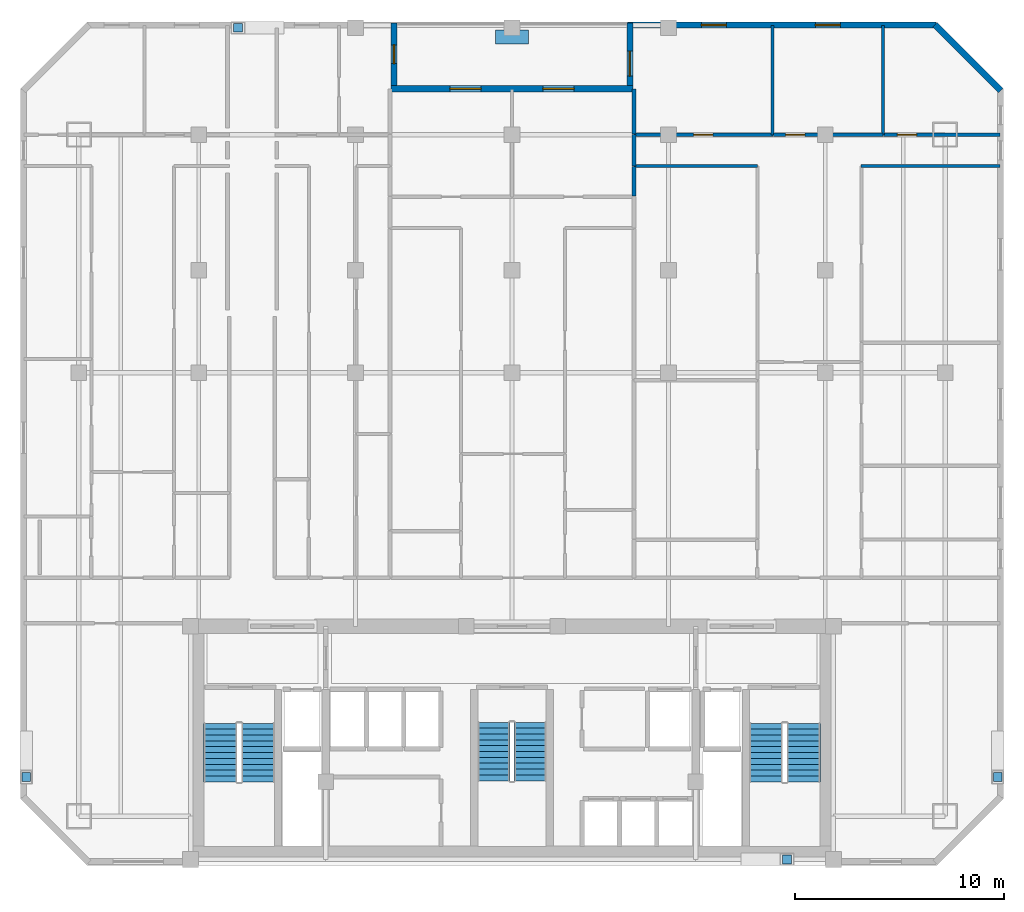
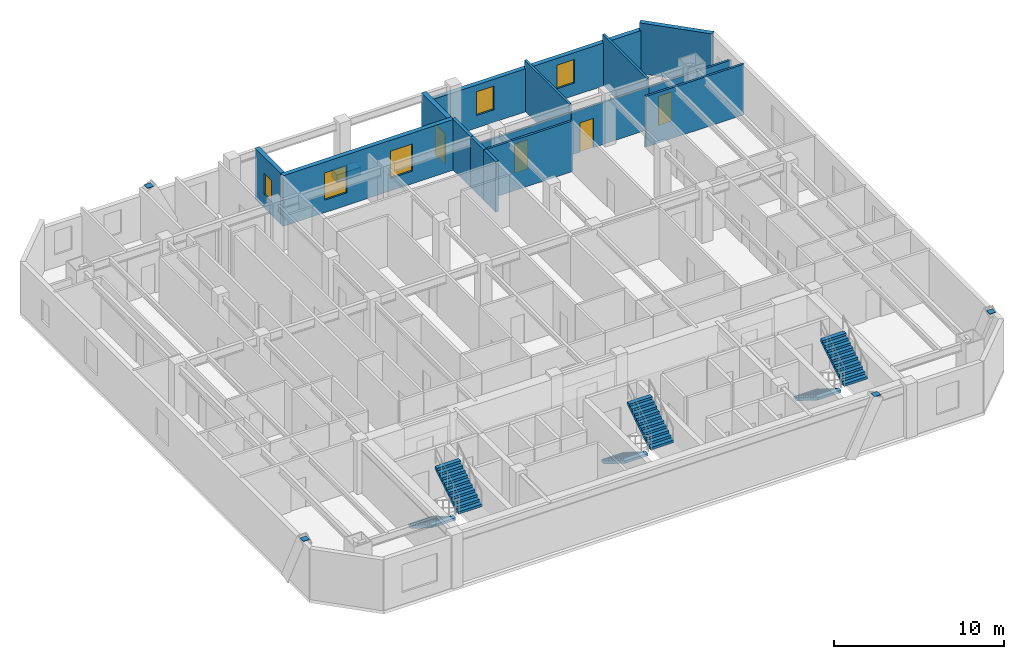
# One storey, part 7 of 8: 15 walls, 6 stair flights, 5 discrete accessories, 5 windows, 4 doors, 9 openings, 3 elements without a shape of their own.
"""IFC4 building model written with IfcOpenShell, lengths in metres."""

from ifc_helpers import new_model, si_unit, direction, frame, frame_2d, origin, origin_2d, place, context, subcontext, project, spatial, polyline, rectangle, outline, extrude, material, layer, layer_set, type_object, element, fill, aggregate, save


model = new_model("IFC4")

# Units and contexts
model_context = context("Model", 3, precision=1e-05, world=origin(), true_north=direction((0.0, 1.0)))
body_context = subcontext(model_context, "Body", "Model", "MODEL_VIEW")
ifc_project = project(units=[si_unit("LENGTHUNIT", "METRE"), si_unit("AREAUNIT", "SQUARE_METRE"), si_unit("VOLUMEUNIT", "CUBIC_METRE"), si_unit("PLANEANGLEUNIT", "RADIAN"), si_unit("MASSUNIT", "GRAM", prefix="KILO")], contexts=[model_context])

# Site, building, storey
site_placement = place(None, origin())
site = spatial("IfcSite", under=ifc_project, at=site_placement, CompositionType="ELEMENT")
building_placement = place(site_placement, origin())
building = spatial("IfcBuilding", under=site, at=building_placement, Name="Ventersveld Concourse Tower", CompositionType="ELEMENT")
storey_placement = place(building_placement, frame((0.0, 0.0, 179.85009765625)))
storey = spatial("IfcBuildingStorey", under=building, at=storey_placement, Name="L44", CompositionType="ELEMENT", Elevation=179.85009765625)

# Walls
ifc_material_1 = material(Name="Fire-rated autoclaved aerated masonry blockwork", Category="masonry")
ifc_layer_1 = layer(ifc_material_1, 0.199951171875)
ifc_layer_set_1 = layer_set([ifc_layer_1], Name="Fire-rated autoclaved aerated masonry blockwork")
wall_type_1 = type_object("IfcWallType", Name="WL-DEMISE-200", PredefinedType="PARTITIONING", material=ifc_layer_set_1)
wall_1_placement = place(storey_placement, frame((34.590087890625, 33.4951171875, 0.0), z_axis=(0.0, 0.0, 1.0), x_axis=(0.0, 1.0, 0.0)))
element("IfcWall", 1, at=wall_1_placement, inside=storey, type_object=wall_type_1, Name="L44 Interior Partition SP-L44-44CE-LIV-SP-L44-44CM-BR2", PredefinedType="PARTITIONING", context=body_context, shape_type="SweptSolid", body=[
    extrude(rectangle(XDim=1.509765625, YDim=0.199951171875, at=frame_2d((0.7548828125, 0.0))), origin(), (0.0, 0.0, 1.0), 3.6298828125),
])
wall_2_placement = place(storey_placement, frame((34.590087890625, 32.06494140625, 0.0), z_axis=(0.0, 0.0, 1.0), x_axis=(0.0, 1.0, 0.0)))
element("IfcWall", 2, at=wall_2_placement, inside=storey, type_object=wall_type_1, Name="L44 Interior Partition SP-L44-44CE-DENL2-SP-L44-44CM-BR2", PredefinedType="PARTITIONING", context=body_context, shape_type="SweptSolid", body=[
    extrude(rectangle(XDim=1.400146484375, YDim=0.199951171875, at=frame_2d((0.7001953125, 0.0))), origin(), (0.0, 0.0, 1.0), 3.6298828125),
])
wall_3_placement = place(storey_placement, frame((34.590087890625, 35.034912109375, 0.0), z_axis=(0.0, 0.0, 1.0), x_axis=(0.0, 1.0, 0.0)))
element("IfcWall", 3, at=wall_3_placement, inside=storey, type_object=wall_type_1, Name="L44 Interior Partition SP-L44-44CE-BR1-SP-L44-44CM-BR2", PredefinedType="PARTITIONING", context=body_context, shape_type="SweptSolid", body=[
    extrude(rectangle(XDim=2.148193359375, YDim=0.199951171875, at=frame_2d((1.07421875, 0.0))), origin(), (0.0, 0.0, 1.0), 3.6298828125),
])
ifc_material_2 = material(Name="Autoclaved aerated masonry blockwork", Category="masonry")
ifc_layer_2 = layer(ifc_material_2, 0.14990234375)
ifc_layer_set_2 = layer_set([ifc_layer_2], Name="Autoclaved aerated masonry blockwork")
wall_type_2 = type_object("IfcWallType", Name="WL-INT-150", PredefinedType="PARTITIONING", material=ifc_layer_set_2)
wall_4_placement = place(storey_placement, frame((34.5849609375, 33.5, 0.0), z_axis=(0.0, 0.0, 1.0), x_axis=(1.0, 0.0, 0.0)))
element("IfcWall", 4, at=wall_4_placement, inside=storey, type_object=wall_type_2, Name="L44 Interior Partition SP-L44-44CE-LIV-SP-L44-44CE-DENL2", PredefinedType="PARTITIONING", context=body_context, shape_type="SweptSolid", body=[
    extrude(rectangle(XDim=5.92529296875, YDim=0.14990234375, at=frame_2d((2.962646484375, 0.0))), origin(), (0.0, 0.0, 1.0), 3.6298828125),
])
wall_5_placement = place(storey_placement, frame((45.480224609375, 33.5, 0.0), z_axis=(0.0, 0.0, 1.0), x_axis=(1.0, 0.0, 0.0)))
element("IfcWall", 5, at=wall_5_placement, inside=storey, type_object=wall_type_2, Name="L44 Interior Partition SP-L44-44CE-LIV-SP-L44-44CE-DENS2", PredefinedType="PARTITIONING", context=body_context, shape_type="SweptSolid", body=[
    extrude(rectangle(XDim=6.647216796875, YDim=0.14990234375, at=frame_2d((3.32373046875, 0.0))), origin(), (0.0, 0.0, 1.0), 3.6298828125),
])

# Wall, opening, door
wall_6_placement = place(storey_placement, frame((34.5849609375, 35.0, 0.0), z_axis=(0.0, 0.0, 1.0), x_axis=(1.0, 0.0, 0.0)))
wall_6 = element("IfcWall", 6, at=wall_6_placement, inside=storey, type_object=wall_type_2, Name="L44 Interior Partition SP-L44-44CE-LIV-SP-L44-44CE-BR1", PredefinedType="PARTITIONING", context=body_context, shape_type="SweptSolid", body=[
    extrude(rectangle(XDim=6.657958984375, YDim=0.14990234375, at=frame_2d((3.3291015625, 0.0))), origin(), (0.0, 0.0, 1.0), 3.0126953125),
])
opening_1_placement = place(wall_6_placement, frame((2.868896484375, 0.0, 0.0)))
opening_1 = element("IfcOpeningElement", 7, at=opening_1_placement, cuts=wall_6, Name="Opening ID1", PredefinedType="OPENING", context=body_context, shape_type="SweptSolid", body=[
    extrude(rectangle(XDim=0.919921875, YDim=2.10009765625, at=frame_2d((0.4599609375, 1.050048828125))), frame((0.0, 0.0849609375, 0.0), z_axis=(0.0, -1.0, 0.0), x_axis=(1.0, 0.0, 0.0)), (0.0, 0.0, 1.0), 0.169921875),
])
ifc_material_3 = material(Name="Solid-core hardwood veneer timber", Category="wood")
door_type_1 = type_object("IfcDoorType", Name="DR-ROOM-092", OperationType="NOTDEFINED", PredefinedType="DOOR", material=ifc_material_3)
door_1_placement = place(opening_1_placement, origin())
door_1 = element("IfcDoor", 8, at=door_1_placement, inside=storey, type_object=door_type_1, Name="L44 Interior Door SP-L44-44CE-LIV to SP-L44-44CE-BR1 (D-L44-2180)", OperationType="SINGLE_SWING_RIGHT", OverallHeight=2.10009765625, OverallWidth=0.919921875, PredefinedType="DOOR", context=body_context, shape_type="SweptSolid", body=[
    extrude(rectangle(XDim=0.919921875, YDim=2.10009765625, at=frame_2d((0.4599609375, 1.050048828125))), frame((0.0, 0.02490234375, 0.0), z_axis=(0.0, -1.0, 0.0), x_axis=(1.0, 0.0, 0.0)), (0.0, 0.0, 1.0), 0.050048828125),
])
fill(opening_1, door_1)

wall_7_placement = place(storey_placement, frame((41.27294921875, 35.0, 0.0), z_axis=(0.0, 0.0, 1.0), x_axis=(1.0, 0.0, 0.0)))
wall_7 = element("IfcWall", 9, at=wall_7_placement, inside=storey, type_object=wall_type_2, Name="L44 Interior Partition SP-L44-44CE-LIV-SP-L44-44CE-BR2", PredefinedType="PARTITIONING", context=body_context, shape_type="SweptSolid", body=[
    extrude(rectangle(XDim=5.25634765625, YDim=0.14990234375, at=frame_2d((2.628173828125, 0.0))), origin(), (0.0, 0.0, 1.0), 3.0126953125),
])
opening_2_placement = place(wall_7_placement, frame((0.59130859375, 0.0, 0.0)))
opening_2 = element("IfcOpeningElement", 10, at=opening_2_placement, cuts=wall_7, Name="Opening ID1", PredefinedType="OPENING", context=body_context, shape_type="SweptSolid", body=[
    extrude(rectangle(XDim=0.919921875, YDim=2.10009765625, at=frame_2d((0.4599609375, 1.050048828125))), frame((0.0, 0.0849609375, 0.0), z_axis=(0.0, -1.0, 0.0), x_axis=(1.0, 0.0, 0.0)), (0.0, 0.0, 1.0), 0.169921875),
])
door_2_placement = place(opening_2_placement, origin())
door_2 = element("IfcDoor", 11, at=door_2_placement, inside=storey, type_object=door_type_1, Name="L44 Interior Door SP-L44-44CE-LIV to SP-L44-44CE-BR2 (D-L44-2181)", OperationType="SINGLE_SWING_LEFT", OverallHeight=2.10009765625, OverallWidth=0.919921875, PredefinedType="DOOR", context=body_context, shape_type="SweptSolid", body=[
    extrude(rectangle(XDim=0.919921875, YDim=2.10009765625, at=frame_2d((0.4599609375, 1.050048828125))), frame((0.0, 0.02490234375, 0.0), z_axis=(0.0, -1.0, 0.0), x_axis=(1.0, 0.0, 0.0)), (0.0, 0.0, 1.0), 0.050048828125),
])
fill(opening_2, door_2)

wall_8_placement = place(storey_placement, frame((46.55908203125, 35.0, 0.0), z_axis=(0.0, 0.0, 1.0), x_axis=(1.0, 0.0, 0.0)))
wall_8 = element("IfcWall", 12, at=wall_8_placement, inside=storey, type_object=wall_type_2, Name="L44 Interior Partition SP-L44-44CE-LIV-SP-L44-44CE-BR3", PredefinedType="PARTITIONING", context=body_context, shape_type="SweptSolid", body=[
    extrude(rectangle(XDim=5.568359375, YDim=0.14990234375, at=frame_2d((2.7841796875, 0.0))), origin(), (0.0, 0.0, 1.0), 3.0126953125),
])
opening_3_placement = place(wall_8_placement, frame((0.65380859375, 0.0, 0.0)))
opening_3 = element("IfcOpeningElement", 13, at=opening_3_placement, cuts=wall_8, Name="Opening ID1", PredefinedType="OPENING", context=body_context, shape_type="SweptSolid", body=[
    extrude(rectangle(XDim=0.919921875, YDim=2.10009765625, at=frame_2d((0.4599609375, 1.050048828125))), frame((0.0, 0.0849609375, 0.0), z_axis=(0.0, -1.0, 0.0), x_axis=(1.0, 0.0, 0.0)), (0.0, 0.0, 1.0), 0.169921875),
])
door_3_placement = place(opening_3_placement, origin())
door_3 = element("IfcDoor", 14, at=door_3_placement, inside=storey, type_object=door_type_1, Name="L44 Interior Door SP-L44-44CE-LIV to SP-L44-44CE-BR3 (D-L44-2182)", OperationType="SINGLE_SWING_RIGHT", OverallHeight=2.10009765625, OverallWidth=0.919921875, PredefinedType="DOOR", context=body_context, shape_type="SweptSolid", body=[
    extrude(rectangle(XDim=0.919921875, YDim=2.10009765625, at=frame_2d((0.4599609375, 1.050048828125))), frame((0.0, 0.02490234375, 0.0), z_axis=(0.0, -1.0, 0.0), x_axis=(1.0, 0.0, 0.0)), (0.0, 0.0, 1.0), 0.050048828125),
])
fill(opening_3, door_3)

# Walls
for number, where, z_axis, x_axis, name in (
    (15, (41.23779296875, 34.9951171875, 0.0), (0.0, 0.0, 1.0), (0.0, 1.0, 0.0), "L44 Interior Partition SP-L44-44CE-BR1-SP-L44-44CE-BR2"),
    (16, (46.524169921875, 34.9951171875, 0.0), (0.0, 0.0, 1.0), (0.0, 1.0, 0.0), "L44 Interior Partition SP-L44-44CE-BR2-SP-L44-44CE-BR3"),
):
    element("IfcWall", number, at=place(storey_placement, frame(where, z_axis=z_axis, x_axis=x_axis)), inside=storey, type_object=wall_type_2, Name=name, PredefinedType="PARTITIONING", context=body_context, shape_type="SweptSolid", body=[
        extrude(rectangle(XDim=5.232421875, YDim=0.14990234375, at=frame_2d((2.6162109375, 0.0))), origin(), (0.0, 0.0, 1.0), 3.6298828125),
    ])
ifc_material_4 = material(Name="Precast concrete C45/55", Category="concrete")
ifc_layer_3 = layer(ifc_material_4, 0.300048828125)
ifc_layer_set_3 = layer_set([ifc_layer_3], Name="Precast concrete C45/55")
wall_type_3 = type_object("IfcWallType", Name="WL-PREC-300", PredefinedType="SOLIDWALL", material=ifc_layer_set_3)
wall_9_placement = place(storey_placement, frame((52.16552734375, 37.122314453125, 0.0), z_axis=(0.0, 0.0, 1.0), x_axis=(-0.707106781187, 0.707106781187, 0.0)))
element("IfcWall", 17, at=wall_9_placement, inside=storey, type_object=wall_type_3, Name="L44 Highveld Precast Facade Wall E04", PredefinedType="SOLIDWALL", context=body_context, shape_type="SweptSolid", body=[
    extrude(rectangle(XDim=4.4453125, YDim=0.300048828125, at=frame_2d((2.22265625, 0.0))), origin(), (0.0, 0.0, 1.0), 3.6298828125),
])

# Wall, openings, windows
wall_10_placement = place(storey_placement, frame((49.06005859375, 40.25, 0.0), z_axis=(0.0, 0.0, 1.0), x_axis=(-1.0, 0.0, 0.0)))
wall_10 = element("IfcWall", 18, at=wall_10_placement, inside=storey, type_object=wall_type_3, Name="L44 Highveld Precast Facade Wall E05", PredefinedType="SOLIDWALL", context=body_context, shape_type="SweptSolid", body=[
    extrude(rectangle(XDim=14.77001953125, YDim=0.300048828125, at=frame_2d((7.385009765625, 0.0))), origin(), (0.0, 0.0, 1.0), 3.08544921875),
])
opening_4_placement = place(wall_10_placement, frame((10.039794921875, 0.0, 0.89990234375)))
opening_4 = element("IfcOpeningElement", 19, at=opening_4_placement, cuts=wall_10, Name="Opening W3", PredefinedType="OPENING", context=body_context, shape_type="SweptSolid", body=[
    extrude(rectangle(XDim=1.199951171875, YDim=1.699951171875, at=frame_2d((0.60009765625, 0.85009765625))), frame((0.0, 0.16015625, 0.0), z_axis=(0.0, -1.0, 0.0), x_axis=(1.0, 0.0, 0.0)), (0.0, 0.0, 1.0), 0.320068359375),
])
opening_5_placement = place(wall_10_placement, frame((4.5791015625, 0.0, 0.89990234375)))
opening_5 = element("IfcOpeningElement", 20, at=opening_5_placement, cuts=wall_10, Name="Opening W3", PredefinedType="OPENING", context=body_context, shape_type="SweptSolid", body=[
    extrude(rectangle(XDim=1.199951171875, YDim=1.699951171875, at=frame_2d((0.60009765625, 0.85009765625))), frame((0.0, 0.16015625, 0.0), z_axis=(0.0, -1.0, 0.0), x_axis=(1.0, 0.0, 0.0)), (0.0, 0.0, 1.0), 0.320068359375),
])
ifc_material_5 = material(Name="Tempered acoustic Low-E IGU", Category="glass")
window_type_1 = type_object("IfcWindowType", Name="WIN-120x180", PartitioningType="SINGLE_PANEL", PredefinedType="WINDOW", material=ifc_material_5)
window_1_placement = place(opening_4_placement, origin())
window_1 = element("IfcWindow", 21, at=window_1_placement, inside=storey, type_object=window_type_1, Name="L44 Punched Low-E Window W-0614", OverallHeight=1.699951171875, OverallWidth=1.199951171875, PartitioningType="SINGLE_PANEL", PredefinedType="WINDOW", context=body_context, shape_type="SweptSolid", body=[
    extrude(rectangle(XDim=1.199951171875, YDim=1.699951171875, at=frame_2d((0.60009765625, 0.85009765625))), frame((0.0, 0.030029296875, 0.0), z_axis=(0.0, -1.0, 0.0), x_axis=(1.0, 0.0, 0.0)), (0.0, 0.0, 1.0), 0.06005859375),
])
fill(opening_4, window_1)
window_2_placement = place(opening_5_placement, origin())
window_2 = element("IfcWindow", 22, at=window_2_placement, inside=storey, type_object=window_type_1, Name="L44 Punched Low-E Window W-0615", OverallHeight=1.699951171875, OverallWidth=1.199951171875, PartitioningType="SINGLE_PANEL", PredefinedType="WINDOW", context=body_context, shape_type="SweptSolid", body=[
    extrude(rectangle(XDim=1.199951171875, YDim=1.699951171875, at=frame_2d((0.60009765625, 0.85009765625))), frame((0.0, 0.030029296875, 0.0), z_axis=(0.0, -1.0, 0.0), x_axis=(1.0, 0.0, 0.0)), (0.0, 0.0, 1.0), 0.06005859375),
])
fill(opening_5, window_2)

# Wall, opening, door
wall_11_placement = place(storey_placement, frame((34.39990234375, 40.360107421875, 0.0), z_axis=(0.0, 0.0, 1.0), x_axis=(0.0, -1.0, 0.0)))
wall_11 = element("IfcWall", 23, at=wall_11_placement, inside=storey, type_object=wall_type_3, Name="L44 Highveld Precast Facade Wall E06", PredefinedType="SOLIDWALL", context=body_context, shape_type="SweptSolid", body=[
    extrude(rectangle(XDim=3.010009765625, YDim=0.300048828125, at=frame_2d((1.5048828125, 0.0))), origin(), (0.0, 0.0, 1.0), 3.6298828125),
])
opening_6_placement = place(wall_11_placement, frame((1.3564453125, 0.0, 0.0)))
opening_6 = element("IfcOpeningElement", 24, at=opening_6_placement, cuts=wall_11, Name="Opening TD1", PredefinedType="OPENING", context=body_context, shape_type="SweptSolid", body=[
    extrude(rectangle(XDim=1.199951171875, YDim=2.199951171875, at=frame_2d((0.60009765625, 1.10009765625))), frame((0.0, 0.16015625, 0.0), z_axis=(0.0, -1.0, 0.0), x_axis=(1.0, 0.0, 0.0)), (0.0, 0.0, 1.0), 0.320068359375),
])
ifc_material_6 = material(Name="Anodised aluminium EN AW-6063-T6", Category="aluminium")
door_type_2 = type_object("IfcDoorType", Name="DR-TERR-120", OperationType="NOTDEFINED", PredefinedType="DOOR", material=ifc_material_6)
door_4_placement = place(opening_6_placement, frame((1.199951171875, 0.0, 0.0), z_axis=(0.0, 0.0, 1.0), x_axis=(-1.0, 0.0, 0.0)))
door_4 = element("IfcDoor", 25, at=door_4_placement, inside=storey, type_object=door_type_2, Name="L44 Stepped Valley Terrace Door TD-L44-01", OperationType="SINGLE_SWING_LEFT", OverallHeight=2.199951171875, OverallWidth=1.199951171875, PredefinedType="DOOR", context=body_context, shape_type="SweptSolid", body=[
    extrude(rectangle(XDim=1.199951171875, YDim=2.199951171875, at=frame_2d((0.60009765625, 1.10009765625))), frame((0.0, 0.02490234375, 0.0), z_axis=(0.0, -1.0, 0.0), x_axis=(1.0, 0.0, 0.0)), (0.0, 0.0, 1.0), 0.050048828125),
])
fill(opening_6, door_4)

# Wall, openings, windows
wall_12_placement = place(storey_placement, frame((34.550048828125, 37.199951171875, 0.0), z_axis=(0.0, 0.0, 1.0), x_axis=(-1.0, 0.0, 0.0)))
wall_12 = element("IfcWall", 26, at=wall_12_placement, inside=storey, type_object=wall_type_3, Name="L44 Highveld Precast Facade Wall E07", PredefinedType="SOLIDWALL", context=body_context, shape_type="SweptSolid", body=[
    extrude(rectangle(XDim=11.60009765625, YDim=0.300048828125, at=frame_2d((5.800048828125, 0.0))), origin(), (0.0, 0.0, 1.0), 3.6298828125),
])
opening_7_placement = place(wall_12_placement, frame((7.275634765625, 0.0, 0.89990234375)))
opening_7 = element("IfcOpeningElement", 27, at=opening_7_placement, cuts=wall_12, Name="Opening W1", PredefinedType="OPENING", context=body_context, shape_type="SweptSolid", body=[
    extrude(rectangle(XDim=1.5, YDim=1.949951171875, at=frame_2d((0.75, 0.97509765625))), frame((0.0, 0.16015625, 0.0), z_axis=(0.0, -1.0, 0.0), x_axis=(1.0, 0.0, 0.0)), (0.0, 0.0, 1.0), 0.320068359375),
])
opening_8_placement = place(wall_12_placement, frame((2.82421875, 0.0, 0.89990234375)))
opening_8 = element("IfcOpeningElement", 28, at=opening_8_placement, cuts=wall_12, Name="Opening W1", PredefinedType="OPENING", context=body_context, shape_type="SweptSolid", body=[
    extrude(rectangle(XDim=1.5, YDim=1.949951171875, at=frame_2d((0.75, 0.97509765625))), frame((0.0, 0.16015625, 0.0), z_axis=(0.0, -1.0, 0.0), x_axis=(1.0, 0.0, 0.0)), (0.0, 0.0, 1.0), 0.320068359375),
])
window_type_2 = type_object("IfcWindowType", Name="WIN-150x210", PartitioningType="SINGLE_PANEL", PredefinedType="WINDOW", material=ifc_material_5)
window_3_placement = place(opening_7_placement, origin())
window_3 = element("IfcWindow", 29, at=window_3_placement, inside=storey, type_object=window_type_2, Name="L44 Punched Low-E Window W-0617", OverallHeight=1.949951171875, OverallWidth=1.5, PartitioningType="SINGLE_PANEL", PredefinedType="WINDOW", context=body_context, shape_type="SweptSolid", body=[
    extrude(rectangle(XDim=1.5, YDim=1.949951171875, at=frame_2d((0.75, 0.97509765625))), frame((0.0, 0.030029296875, 0.0), z_axis=(0.0, -1.0, 0.0), x_axis=(1.0, 0.0, 0.0)), (0.0, 0.0, 1.0), 0.06005859375),
])
fill(opening_7, window_3)
window_4_placement = place(opening_8_placement, origin())
window_4 = element("IfcWindow", 30, at=window_4_placement, inside=storey, type_object=window_type_2, Name="L44 Punched Low-E Window W-0618", OverallHeight=1.949951171875, OverallWidth=1.5, PartitioningType="SINGLE_PANEL", PredefinedType="WINDOW", context=body_context, shape_type="SweptSolid", body=[
    extrude(rectangle(XDim=1.5, YDim=1.949951171875, at=frame_2d((0.75, 0.97509765625))), frame((0.0, 0.030029296875, 0.0), z_axis=(0.0, -1.0, 0.0), x_axis=(1.0, 0.0, 0.0)), (0.0, 0.0, 1.0), 0.06005859375),
])
fill(opening_8, window_4)

# Wall, opening, window
wall_13_placement = place(storey_placement, frame((23.10009765625, 37.35009765625, 0.0), z_axis=(0.0, 0.0, 1.0), x_axis=(0.0, 1.0, 0.0)))
wall_13 = element("IfcWall", 31, at=wall_13_placement, inside=storey, type_object=wall_type_3, Name="L44 Highveld Precast Facade Wall E08", PredefinedType="SOLIDWALL", context=body_context, shape_type="SweptSolid", body=[
    extrude(rectangle(XDim=3.010009765625, YDim=0.300048828125, at=frame_2d((1.5048828125, 0.0))), origin(), (0.0, 0.0, 1.0), 3.6298828125),
])
opening_9_placement = place(wall_13_placement, frame((1.054931640625, 0.0, 0.949951171875)))
opening_9 = element("IfcOpeningElement", 32, at=opening_9_placement, cuts=wall_13, Name="Opening W4", PredefinedType="OPENING", context=body_context, shape_type="SweptSolid", body=[
    extrude(rectangle(XDim=0.89990234375, YDim=1.5, at=frame_2d((0.449951171875, 0.75))), frame((0.0, 0.16015625, 0.0), z_axis=(0.0, -1.0, 0.0), x_axis=(1.0, 0.0, 0.0)), (0.0, 0.0, 1.0), 0.320068359375),
])
window_type_3 = type_object("IfcWindowType", Name="WIN-090x150", PartitioningType="SINGLE_PANEL", PredefinedType="WINDOW", material=ifc_material_5)
window_5_placement = place(opening_9_placement, origin())
window_5 = element("IfcWindow", 33, at=window_5_placement, inside=storey, type_object=window_type_3, Name="L44 Punched Low-E Window W-0608", OverallHeight=1.5, OverallWidth=0.89990234375, PartitioningType="SINGLE_PANEL", PredefinedType="WINDOW", context=body_context, shape_type="SweptSolid", body=[
    extrude(rectangle(XDim=0.89990234375, YDim=1.5, at=frame_2d((0.449951171875, 0.75))), frame((0.0, 0.030029296875, 0.0), z_axis=(0.0, -1.0, 0.0), x_axis=(1.0, 0.0, 0.0)), (0.0, 0.0, 1.0), 0.06005859375),
])
fill(opening_9, window_5)

# Stair, stair flights
ifc_material_7 = material(Name="Concrete C50/60", Category="concrete")
stair_type_1 = type_object("IfcStairType", Name="ST-DOG-155", PredefinedType="HALF_TURN_STAIR", material=ifc_material_7)
stair_1_placement = place(storey_placement, origin())
stair_1 = element("IfcStair", 34, at=stair_1_placement, inside=storey, type_object=stair_type_1, Name="L44 Protected Central Core Escape Stair ST-03", PredefinedType="HALF_TURN_STAIR")
stair_flight_type_1 = type_object("IfcStairFlightType", Name="STF-RC-155", PredefinedType="STRAIGHT", material=ifc_material_7)
stair_flight_1_placement = place(storey_placement, frame((27.875, 6.85009765625, 0.0), z_axis=(0.0, 0.0, 1.0), x_axis=(0.0, -1.0, 0.0)))
stair_flight_1 = element("IfcStairFlight", 35, at=stair_flight_1_placement, type_object=stair_flight_type_1, Name="ST-03 flight 1", NumberOfRisers=11, NumberOfTreads=10, PredefinedType="STRAIGHT", RiserHeight=0.175, TreadLength=0.28, context=body_context, shape_type="SweptSolid", body=[
    extrude(outline(polyline([(0.0, 0.0), (0.0, 0.175048828125), (0.280029296875, 0.175048828125), (0.280029296875, 0.35009765625), (0.56005859375, 0.35009765625), (0.56005859375, 0.52490234375), (0.840087890625, 0.52490234375), (0.840087890625, 0.699951171875), (1.1201171875, 0.699951171875), (1.1201171875, 0.875), (1.39990234375, 0.875), (1.39990234375, 1.050048828125), (1.679931640625, 1.050048828125), (1.679931640625, 1.22509765625), (1.9599609375, 1.22509765625), (1.9599609375, 1.39990234375), (2.239990234375, 1.39990234375), (2.239990234375, 1.574951171875), (2.52001953125, 1.574951171875), (2.52001953125, 1.75), (2.800048828125, 1.75), (2.800048828125, 1.925048828125), (2.800048828125, 1.5732421875), (0.28271484375, 0.0), (0.0, 0.0)])), frame((0.0, 0.77490234375, 0.0), z_axis=(0.0, -1.0, 0.0), x_axis=(1.0, 0.0, 0.0)), (0.0, 0.0, 1.0), 1.550048828125),
])
stair_flight_2_placement = place(storey_placement, frame((29.625, 4.050048828125, 1.9248046875), z_axis=(0.0, 0.0, 1.0), x_axis=(0.0, 1.0, 0.0)))
stair_flight_2 = element("IfcStairFlight", 36, at=stair_flight_2_placement, type_object=stair_flight_type_1, Name="ST-03 flight 2", NumberOfRisers=11, NumberOfTreads=10, PredefinedType="STRAIGHT", RiserHeight=0.175, TreadLength=0.28, context=body_context, shape_type="SweptSolid", body=[
    extrude(outline(polyline([(0.0, 0.0), (0.0, 0.175048828125), (0.280029296875, 0.175048828125), (0.280029296875, 0.35009765625), (0.56005859375, 0.35009765625), (0.56005859375, 0.52490234375), (0.840087890625, 0.52490234375), (0.840087890625, 0.699951171875), (1.1201171875, 0.699951171875), (1.1201171875, 0.875), (1.39990234375, 0.875), (1.39990234375, 1.050048828125), (1.679931640625, 1.050048828125), (1.679931640625, 1.22509765625), (1.9599609375, 1.22509765625), (1.9599609375, 1.39990234375), (2.239990234375, 1.39990234375), (2.239990234375, 1.574951171875), (2.52001953125, 1.574951171875), (2.52001953125, 1.75), (2.800048828125, 1.75), (2.800048828125, 1.925048828125), (2.800048828125, 1.5732421875), (0.28271484375, 0.0), (0.0, 0.0)])), frame((0.0, 0.77490234375, 0.0), z_axis=(0.0, -1.0, 0.0), x_axis=(1.0, 0.0, 0.0)), (0.0, 0.0, 1.0), 1.550048828125),
])
aggregate(stair_1, [stair_flight_1, stair_flight_2])

stair_type_2 = type_object("IfcStairType", Name="ST-DOG-160", PredefinedType="HALF_TURN_STAIR", material=ifc_material_7)
stair_2_placement = place(storey_placement, origin())
stair_2 = element("IfcStair", 37, at=stair_2_placement, inside=storey, type_object=stair_type_2, Name="L44 Protected Tower Escape Stair ST-01", PredefinedType="HALF_TURN_STAIR")
stair_flight_type_2 = type_object("IfcStairFlightType", Name="STF-RC-160", PredefinedType="STRAIGHT", material=ifc_material_7)
stair_flight_3_placement = place(storey_placement, frame((14.780029296875, 6.800048828125, 0.0), z_axis=(0.0, 0.0, 1.0), x_axis=(0.0, -1.0, 0.0)))
stair_flight_3 = element("IfcStairFlight", 38, at=stair_flight_3_placement, type_object=stair_flight_type_2, Name="ST-01 flight 1", NumberOfRisers=11, NumberOfTreads=10, PredefinedType="STRAIGHT", RiserHeight=0.175, TreadLength=0.28, context=body_context, shape_type="SweptSolid", body=[
    extrude(outline(polyline([(0.0, 0.0), (0.0, 0.175048828125), (0.280029296875, 0.175048828125), (0.280029296875, 0.35009765625), (0.56005859375, 0.35009765625), (0.56005859375, 0.52490234375), (0.840087890625, 0.52490234375), (0.840087890625, 0.699951171875), (1.1201171875, 0.699951171875), (1.1201171875, 0.875), (1.39990234375, 0.875), (1.39990234375, 1.050048828125), (1.679931640625, 1.050048828125), (1.679931640625, 1.22509765625), (1.9599609375, 1.22509765625), (1.9599609375, 1.39990234375), (2.239990234375, 1.39990234375), (2.239990234375, 1.574951171875), (2.52001953125, 1.574951171875), (2.52001953125, 1.75), (2.800048828125, 1.75), (2.800048828125, 1.925048828125), (2.800048828125, 1.5732421875), (0.28271484375, 0.0), (0.0, 0.0)])), frame((0.0, 0.800048828125, 0.0), z_axis=(0.0, -1.0, 0.0), x_axis=(1.0, 0.0, 0.0)), (0.0, 0.0, 1.0), 1.60009765625),
])
stair_flight_4_placement = place(storey_placement, frame((16.580078125, 4.0, 1.9248046875), z_axis=(0.0, 0.0, 1.0), x_axis=(0.0, 1.0, 0.0)))
stair_flight_4 = element("IfcStairFlight", 39, at=stair_flight_4_placement, type_object=stair_flight_type_2, Name="ST-01 flight 2", NumberOfRisers=11, NumberOfTreads=10, PredefinedType="STRAIGHT", RiserHeight=0.175, TreadLength=0.28, context=body_context, shape_type="SweptSolid", body=[
    extrude(outline(polyline([(0.0, 0.0), (0.0, 0.175048828125), (0.280029296875, 0.175048828125), (0.280029296875, 0.35009765625), (0.56005859375, 0.35009765625), (0.56005859375, 0.52490234375), (0.840087890625, 0.52490234375), (0.840087890625, 0.699951171875), (1.1201171875, 0.699951171875), (1.1201171875, 0.875), (1.39990234375, 0.875), (1.39990234375, 1.050048828125), (1.679931640625, 1.050048828125), (1.679931640625, 1.22509765625), (1.9599609375, 1.22509765625), (1.9599609375, 1.39990234375), (2.239990234375, 1.39990234375), (2.239990234375, 1.574951171875), (2.52001953125, 1.574951171875), (2.52001953125, 1.75), (2.800048828125, 1.75), (2.800048828125, 1.925048828125), (2.800048828125, 1.5732421875), (0.28271484375, 0.0), (0.0, 0.0)])), frame((0.0, 0.800048828125, 0.0), z_axis=(0.0, -1.0, 0.0), x_axis=(1.0, 0.0, 0.0)), (0.0, 0.0, 1.0), 1.60009765625),
])
aggregate(stair_2, [stair_flight_3, stair_flight_4])

stair_3_placement = place(storey_placement, origin())
stair_3 = element("IfcStair", 40, at=stair_3_placement, inside=storey, type_object=stair_type_2, Name="L44 Protected Tower Escape Stair ST-02", PredefinedType="HALF_TURN_STAIR")
stair_flight_5_placement = place(storey_placement, frame((40.919921875, 6.800048828125, 0.0), z_axis=(0.0, 0.0, 1.0), x_axis=(0.0, -1.0, 0.0)))
stair_flight_5 = element("IfcStairFlight", 41, at=stair_flight_5_placement, type_object=stair_flight_type_2, Name="ST-02 flight 1", NumberOfRisers=11, NumberOfTreads=10, PredefinedType="STRAIGHT", RiserHeight=0.175, TreadLength=0.28, context=body_context, shape_type="SweptSolid", body=[
    extrude(outline(polyline([(0.0, 0.0), (0.0, 0.175048828125), (0.280029296875, 0.175048828125), (0.280029296875, 0.35009765625), (0.56005859375, 0.35009765625), (0.56005859375, 0.52490234375), (0.840087890625, 0.52490234375), (0.840087890625, 0.699951171875), (1.1201171875, 0.699951171875), (1.1201171875, 0.875), (1.39990234375, 0.875), (1.39990234375, 1.050048828125), (1.679931640625, 1.050048828125), (1.679931640625, 1.22509765625), (1.9599609375, 1.22509765625), (1.9599609375, 1.39990234375), (2.239990234375, 1.39990234375), (2.239990234375, 1.574951171875), (2.52001953125, 1.574951171875), (2.52001953125, 1.75), (2.800048828125, 1.75), (2.800048828125, 1.925048828125), (2.800048828125, 1.5732421875), (0.28271484375, 0.0), (0.0, 0.0)])), frame((0.0, 0.800048828125, 0.0), z_axis=(0.0, -1.0, 0.0), x_axis=(1.0, 0.0, 0.0)), (0.0, 0.0, 1.0), 1.60009765625),
])
stair_flight_6_placement = place(storey_placement, frame((42.719970703125, 4.0, 1.9248046875), z_axis=(0.0, 0.0, 1.0), x_axis=(0.0, 1.0, 0.0)))
stair_flight_6 = element("IfcStairFlight", 42, at=stair_flight_6_placement, type_object=stair_flight_type_2, Name="ST-02 flight 2", NumberOfRisers=11, NumberOfTreads=10, PredefinedType="STRAIGHT", RiserHeight=0.175, TreadLength=0.28, context=body_context, shape_type="SweptSolid", body=[
    extrude(outline(polyline([(0.0, 0.0), (0.0, 0.175048828125), (0.280029296875, 0.175048828125), (0.280029296875, 0.35009765625), (0.56005859375, 0.35009765625), (0.56005859375, 0.52490234375), (0.840087890625, 0.52490234375), (0.840087890625, 0.699951171875), (1.1201171875, 0.699951171875), (1.1201171875, 0.875), (1.39990234375, 0.875), (1.39990234375, 1.050048828125), (1.679931640625, 1.050048828125), (1.679931640625, 1.22509765625), (1.9599609375, 1.22509765625), (1.9599609375, 1.39990234375), (2.239990234375, 1.39990234375), (2.239990234375, 1.574951171875), (2.52001953125, 1.574951171875), (2.52001953125, 1.75), (2.800048828125, 1.75), (2.800048828125, 1.925048828125), (2.800048828125, 1.5732421875), (0.28271484375, 0.0), (0.0, 0.0)])), frame((0.0, 0.800048828125, 0.0), z_axis=(0.0, -1.0, 0.0), x_axis=(1.0, 0.0, 0.0)), (0.0, 0.0, 1.0), 1.60009765625),
])
aggregate(stair_3, [stair_flight_5, stair_flight_6])

# Discrete accessories
ifc_material_8 = material(Name="Structural steel S355J2", Category="steel")
discrete_accessory_type_1 = type_object("IfcDiscreteAccessoryType", Name="CONN-BRACE-ECP1", PredefinedType="BRACKET", material=ifc_material_8)
for number, where, z_axis, x_axis, name in (
    (43, (15.625, 40.1201171875, 3.60986328125), (0.0, 0.0, 1.0), (1.0, 0.0, 0.0), "L44 Steel Brace End Connection Plate ECP1-0354"),
    (44, (41.925048828125, 0.280029296875, 3.60986328125), (0.0, 0.0, 1.0), (1.0, 0.0, 0.0), "L44 Steel Brace End Connection Plate ECP1-0358"),
    (45, (5.47998046875, 4.22509765625, 3.60986328125), (0.0, 0.0, 1.0), (1.0, 0.0, 0.0), "L44 Steel Brace End Connection Plate ECP1-0362"),
    (46, (52.02001953125, 4.22509765625, 3.60986328125), (0.0, 0.0, 1.0), (1.0, 0.0, 0.0), "L44 Steel Brace End Connection Plate ECP1-0366"),
):
    element("IfcDiscreteAccessory", number, at=place(storey_placement, frame(where, z_axis=z_axis, x_axis=x_axis)), inside=storey, type_object=discrete_accessory_type_1, Name=name, PredefinedType="BRACKET", context=body_context, shape_type="SweptSolid", body=[
        extrude(rectangle(XDim=0.419921875, YDim=0.419921875, at=origin_2d()), origin(), (0.0, 0.0, 1.0), 0.0400390625),
    ])
discrete_accessory_type_2 = type_object("IfcDiscreteAccessoryType", Name="PLN-TERR-180", PredefinedType="USERDEFINED", material=ifc_material_4)
discrete_accessory_placement = place(storey_placement, frame((28.75, 39.679931640625, 0.0), z_axis=(0.0, 0.0, 1.0), x_axis=(1.0, 0.0, 0.0)))
element("IfcDiscreteAccessory", 47, at=discrete_accessory_placement, inside=storey, type_object=discrete_accessory_type_2, Name="L44 Planted Precast Terrace Planter Box NOTCH-N", ObjectType="PLANTER", PredefinedType="USERDEFINED", context=body_context, shape_type="SweptSolid", body=[
    extrude(rectangle(XDim=1.60009765625, YDim=0.64990234375, at=origin_2d()), origin(), (0.0, 0.0, 1.0), 0.550048828125),
])

save(model, "model.ifc")
